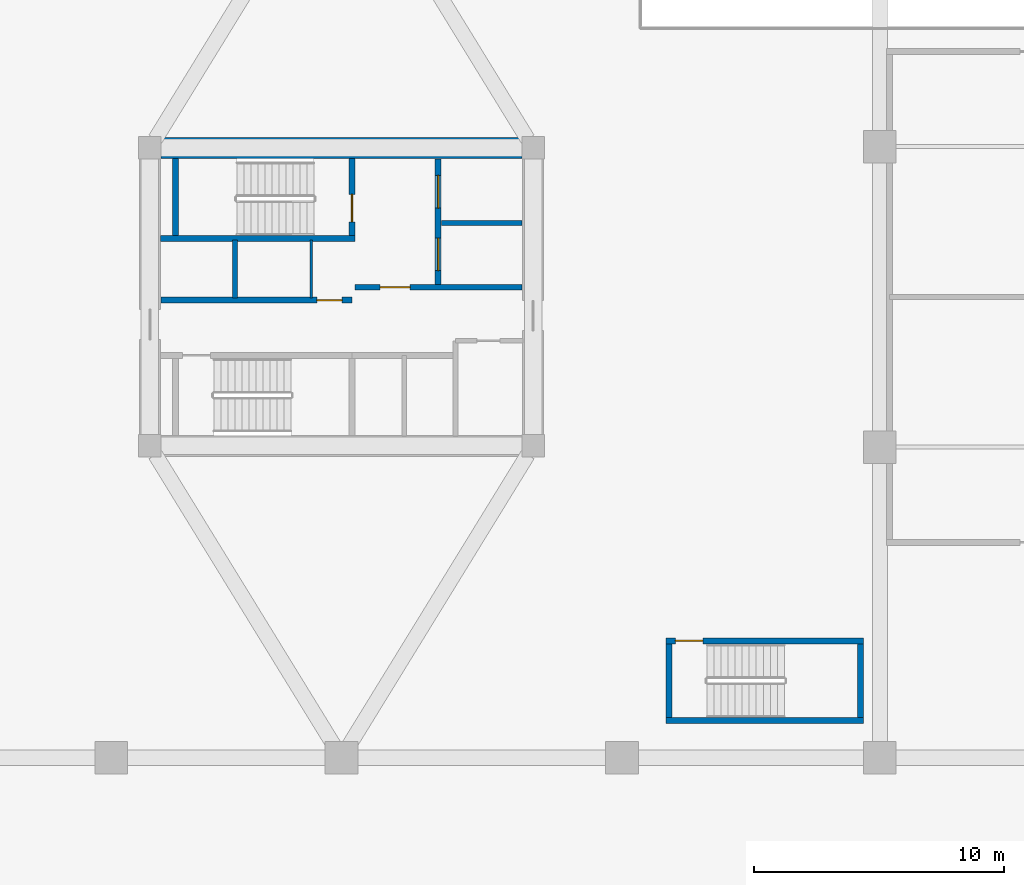
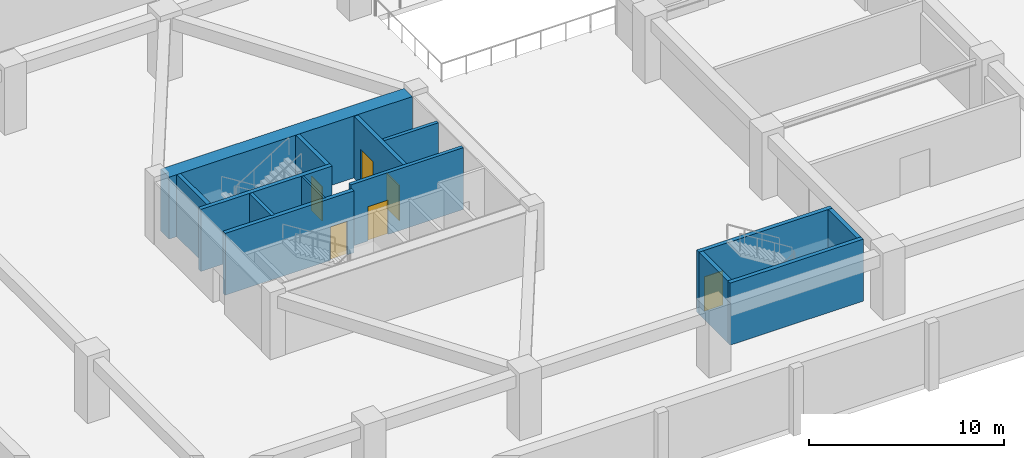
# One storey, part 3 of 14: 14 walls, 6 doors, 6 openings.
"""IFC4 building model written with IfcOpenShell, lengths in metres."""

from ifc_helpers import new_model, si_unit, direction, frame, frame_2d, origin, place, context, subcontext, project, spatial, rectangle, extrude, source, transform, mapped, material, layer, layer_set, type_object, type_shapes, element, fill, save


model = new_model("IFC4")

# Units and contexts
model_context = context("Model", 3, precision=1e-05, world=origin(), true_north=direction((0.0, 1.0)))
body_context = subcontext(model_context, "Body", "Model", "MODEL_VIEW")
ifc_project = project(units=[si_unit("LENGTHUNIT", "METRE"), si_unit("AREAUNIT", "SQUARE_METRE"), si_unit("VOLUMEUNIT", "CUBIC_METRE"), si_unit("PLANEANGLEUNIT", "RADIAN"), si_unit("MASSUNIT", "GRAM", prefix="KILO")], contexts=[model_context])

# Site, building, storey
site_placement = place(None, origin())
site = spatial("IfcSite", under=ifc_project, at=site_placement, CompositionType="ELEMENT")
building_placement = place(site_placement, origin())
building = spatial("IfcBuilding", under=site, at=building_placement, Name="Norrkilde Senior Care Towers", CompositionType="ELEMENT")
storey_placement = place(building_placement, frame((0.0, 0.0, -4.199951171875)))
storey = spatial("IfcBuildingStorey", under=building, at=storey_placement, Name="B1", CompositionType="ELEMENT", Elevation=-4.199951171875)

# Walls
ifc_material_1 = material(Name="Concrete C60/75", Category="concrete")
ifc_layer_1 = layer(ifc_material_1, 0.85009765625)
ifc_layer_set_1 = layer_set([ifc_layer_1], Name="Concrete C60/75")
wall_type_1 = type_object("IfcWallType", Name="Core Shear Wall Z1 850", PredefinedType="SHEAR", material=ifc_layer_set_1)
shared_shape_1 = source(origin(), body_context, "Body", "SweptSolid", [
    extrude(rectangle(XDim=14.39990234375, YDim=0.85009765625, at=frame_2d((7.199951171875, 0.0))), origin(), (0.0, 0.0, 1.0), 3.8798828125),
])
type_shapes(wall_type_1, [shared_shape_1])
wall_1_placement = place(storey_placement, frame((-35.199951171875, 5.949951171875, 0.0), z_axis=(0.0, 0.0, 1.0), x_axis=(1.0, 0.0, 0.0)))
element("IfcWall", 1, at=wall_1_placement, inside=storey, type_object=wall_type_1, Name="B1 Core W North Shear Wall", PredefinedType="SHEAR", context=body_context, shape_type="MappedRepresentation", body=[
    mapped(shared_shape_1, transform((0.0, 0.0, 0.0), x_axis=(1.0, 0.0, 0.0), y_axis=(0.0, 1.0, 0.0), z_axis=(0.0, 0.0, 1.0), scale=1.0)),
])
ifc_material_2 = material(Name="Concrete C45/55", Category="concrete")
ifc_layer_2 = layer(ifc_material_2, 0.239990234375)
ifc_layer_set_2 = layer_set([ifc_layer_2], Name="Concrete C45/55")
wall_type_2 = type_object("IfcWallType", Name="Shaft and Stair Enclosure Wall 240", PredefinedType="PARTITIONING", material=ifc_layer_set_2)
shared_shape_2 = source(origin(), body_context, "Body", "SweptSolid", [
    extrude(rectangle(XDim=7.76513671875, YDim=0.239990234375, at=frame_2d((3.882568359375, 0.0))), origin(), (0.0, 0.0, 1.0), 3.8798828125),
])
wall_2_placement = place(storey_placement, frame((-35.22509765625, 2.330078125, 0.0), z_axis=(0.0, 0.0, 1.0), x_axis=(1.0, 0.0, 0.0)))
element("IfcWall", 2, at=wall_2_placement, inside=storey, type_object=wall_type_2, Name="WL-INT-B1-W-ST1S", PredefinedType="PARTITIONING", context=body_context, shape_type="MappedRepresentation", body=[
    mapped(shared_shape_2, transform((0.0, 0.0, 0.0), x_axis=(1.0, 0.0, 0.0), y_axis=(0.0, 1.0, 0.0), z_axis=(0.0, 0.0, 1.0), scale=1.0)),
])
shared_shape_3 = source(origin(), body_context, "Body", "SweptSolid", [
    extrude(rectangle(XDim=3.074951171875, YDim=0.239990234375, at=frame_2d((1.53759765625, 0.0))), origin(), (0.0, 0.0, 1.0), 3.8798828125),
])
wall_3_placement = place(storey_placement, frame((-34.6201171875, 2.449951171875, 0.0), z_axis=(0.0, 0.0, 1.0), x_axis=(0.0, 1.0, 0.0)))
element("IfcWall", 3, at=wall_3_placement, inside=storey, type_object=wall_type_2, Name="WL-INT-B1-W-ST1W", PredefinedType="PARTITIONING", context=body_context, shape_type="MappedRepresentation", body=[
    mapped(shared_shape_3, transform((0.0, 0.0, 0.0), x_axis=(1.0, 0.0, 0.0), y_axis=(0.0, 1.0, 0.0), z_axis=(0.0, 0.0, 1.0), scale=1.0)),
])

# Wall, opening, door
wall_4_placement = place(storey_placement, frame((-27.580078125, 2.449951171875, 0.0), z_axis=(0.0, 0.0, 1.0), x_axis=(0.0, 1.0, 0.0)))
wall_4 = element("IfcWall", 4, at=wall_4_placement, inside=storey, type_object=wall_type_2, Name="WL-INT-B1-W-ST1E", PredefinedType="PARTITIONING", context=body_context, shape_type="MappedRepresentation", body=[
    mapped(shared_shape_3, transform((0.0, 0.0, 0.0), x_axis=(1.0, 0.0, 0.0), y_axis=(0.0, 1.0, 0.0), z_axis=(0.0, 0.0, 1.0), scale=1.0)),
])
opening_1_placement = place(wall_4_placement, frame((0.550048828125, 0.0, 0.0)))
opening_1 = element("IfcOpeningElement", 5, at=opening_1_placement, cuts=wall_4, Name="Opening D-03", PredefinedType="OPENING", context=body_context, shape_type="SweptSolid", body=[
    extrude(rectangle(XDim=1.10009765625, YDim=2.14990234375, at=frame_2d((0.550048828125, 1.074951171875))), frame((0.0, 0.1298828125, 0.0), z_axis=(0.0, -1.0, 0.0), x_axis=(1.0, 0.0, 0.0)), (0.0, 0.0, 1.0), 0.260009765625),
])
ifc_material_3 = material(Name="Galvanised Painted Steel", Category="steel")
door_type_1 = type_object("IfcDoorType", Name="Stairwell Protected Fire Door 1100x2150", OperationType="NOTDEFINED", PredefinedType="DOOR", material=ifc_material_3)
shared_shape_4 = source(origin(), body_context, "Body", "SweptSolid", [
    extrude(rectangle(XDim=1.10009765625, YDim=2.14990234375, at=frame_2d((0.550048828125, 1.074951171875))), frame((0.0, 0.02490234375, 0.0), z_axis=(0.0, -1.0, 0.0), x_axis=(1.0, 0.0, 0.0)), (0.0, 0.0, 1.0), 0.050048828125),
])
type_shapes(door_type_1, [shared_shape_4])
door_1_placement = place(opening_1_placement, origin())
door_1 = element("IfcDoor", 6, at=door_1_placement, inside=storey, type_object=door_type_1, Name="B1 Stair W1 Fire Door", OperationType="SINGLE_SWING_LEFT", OverallHeight=2.14990234375, OverallWidth=1.10009765625, PredefinedType="DOOR", context=body_context, shape_type="MappedRepresentation", body=[
    mapped(shared_shape_4, transform((0.0, 0.0, 0.0), x_axis=(1.0, 0.0, 0.0), y_axis=(0.0, 1.0, 0.0), z_axis=(0.0, 0.0, 1.0), scale=1.0)),
])
fill(opening_1, door_1)

# Wall, openings, doors
ifc_layer_3 = layer(ifc_material_2, 0.239990234375)
ifc_layer_set_3 = layer_set([ifc_layer_3], Name="Concrete C45/55")
wall_type_3 = type_object("IfcWallType", Name="Lift and Plant Rated Enclosure Partition 240", PredefinedType="PARTITIONING", material=ifc_layer_set_3)
shared_shape_5 = source(origin(), body_context, "Body", "SweptSolid", [
    extrude(rectangle(XDim=5.0, YDim=0.239990234375, at=frame_2d((2.5, 0.0))), origin(), (0.0, 0.0, 1.0), 3.864990234375),
])
wall_5_placement = place(storey_placement, frame((-24.139892578125, 0.5, 0.0), z_axis=(0.0, 0.0, 1.0), x_axis=(0.0, 1.0, 0.0)))
wall_5 = element("IfcWall", 7, at=wall_5_placement, inside=storey, type_object=wall_type_3, Name="WL-INT-B1-W-FFLE", PredefinedType="PARTITIONING", context=body_context, shape_type="MappedRepresentation", body=[
    mapped(shared_shape_5, transform((0.0, 0.0, 0.0), x_axis=(1.0, 0.0, 0.0), y_axis=(0.0, 1.0, 0.0), z_axis=(0.0, 0.0, 1.0), scale=1.0)),
])
opening_2_placement = place(wall_5_placement, frame((3.050048828125, 0.0, 0.0)))
opening_2 = element("IfcOpeningElement", 8, at=opening_2_placement, cuts=wall_5, Name="Opening LD-02", PredefinedType="OPENING", context=body_context, shape_type="SweptSolid", body=[
    extrude(rectangle(XDim=1.300048828125, YDim=2.199951171875, at=frame_2d((0.64990234375, 1.10009765625))), frame((0.0, 0.1298828125, 0.0), z_axis=(0.0, -1.0, 0.0), x_axis=(1.0, 0.0, 0.0)), (0.0, 0.0, 1.0), 0.260009765625),
])
opening_3_placement = place(wall_5_placement, frame((0.550048828125, 0.0, 0.0)))
opening_3 = element("IfcOpeningElement", 9, at=opening_3_placement, cuts=wall_5, Name="Opening LD-02", PredefinedType="OPENING", context=body_context, shape_type="SweptSolid", body=[
    extrude(rectangle(XDim=1.300048828125, YDim=2.199951171875, at=frame_2d((0.64990234375, 1.10009765625))), frame((0.0, 0.1298828125, 0.0), z_axis=(0.0, -1.0, 0.0), x_axis=(1.0, 0.0, 0.0)), (0.0, 0.0, 1.0), 0.260009765625),
])
ifc_material_4 = material(Name="Stainless Steel", Category="steel")
door_type_2 = type_object("IfcDoorType", Name="Stretcher and FFL Landing Sliding Door 1300x2200", OperationType="NOTDEFINED", PredefinedType="DOOR", material=ifc_material_4)
shared_shape_6 = source(origin(), body_context, "Body", "SweptSolid", [
    extrude(rectangle(XDim=1.300048828125, YDim=2.199951171875, at=frame_2d((0.64990234375, 1.10009765625))), frame((0.0, 0.02490234375, 0.0), z_axis=(0.0, -1.0, 0.0), x_axis=(1.0, 0.0, 0.0)), (0.0, 0.0, 1.0), 0.050048828125),
])
type_shapes(door_type_2, [shared_shape_6])
door_2_placement = place(opening_2_placement, origin())
door_2 = element("IfcDoor", 10, at=door_2_placement, inside=storey, type_object=door_type_2, Name="B1 Firefighting Lift W1 Landing Door", OperationType="SLIDING_TO_LEFT", OverallHeight=2.199951171875, OverallWidth=1.300048828125, PredefinedType="DOOR", context=body_context, shape_type="MappedRepresentation", body=[
    mapped(shared_shape_6, transform((0.0, 0.0, 0.0), x_axis=(1.0, 0.0, 0.0), y_axis=(0.0, 1.0, 0.0), z_axis=(0.0, 0.0, 1.0), scale=1.0)),
])
fill(opening_2, door_2)
door_3_placement = place(opening_3_placement, origin())
door_3 = element("IfcDoor", 11, at=door_3_placement, inside=storey, type_object=door_type_2, Name="B1 Stretcher Lift W1 Landing Door", OperationType="SLIDING_TO_RIGHT", OverallHeight=2.199951171875, OverallWidth=1.300048828125, PredefinedType="DOOR", context=body_context, shape_type="MappedRepresentation", body=[
    mapped(shared_shape_6, transform((0.0, 0.0, 0.0), x_axis=(1.0, 0.0, 0.0), y_axis=(0.0, 1.0, 0.0), z_axis=(0.0, 0.0, 1.0), scale=1.0)),
])
fill(opening_3, door_3)

# Wall
ifc_layer_4 = layer(ifc_material_2, 0.199951171875)
ifc_layer_set_4 = layer_set([ifc_layer_4], Name="Concrete C45/55")
wall_type_4 = type_object("IfcWallType", Name="Shaft Division and Plant Partition 200", PredefinedType="PARTITIONING", material=ifc_layer_set_4)
shared_shape_7 = source(origin(), body_context, "Body", "SweptSolid", [
    extrude(rectangle(XDim=3.199951171875, YDim=0.199951171875, at=frame_2d((1.60009765625, 0.0))), origin(), (0.0, 0.0, 1.0), 3.864990234375),
])
wall_6_placement = place(storey_placement, frame((-24.0, 2.949951171875, 0.0), z_axis=(0.0, 0.0, 1.0), x_axis=(1.0, 0.0, 0.0)))
element("IfcWall", 12, at=wall_6_placement, inside=storey, type_object=wall_type_4, Name="WL-INT-B1-W-FFLDIV", PredefinedType="PARTITIONING", context=body_context, shape_type="MappedRepresentation", body=[
    mapped(shared_shape_7, transform((0.0, 0.0, 0.0), x_axis=(1.0, 0.0, 0.0), y_axis=(0.0, 1.0, 0.0), z_axis=(0.0, 0.0, 1.0), scale=1.0)),
])

# Wall, opening, door
ifc_layer_5 = layer(ifc_material_2, 0.2099609375)
ifc_layer_set_5 = layer_set([ifc_layer_5], Name="Concrete C45/55")
wall_type_5 = type_object("IfcWallType", Name="Firefighting Lobby Wall 210", PredefinedType="PARTITIONING", material=ifc_layer_set_5)
shared_shape_8 = source(origin(), body_context, "Body", "SweptSolid", [
    extrude(rectangle(XDim=6.659912109375, YDim=0.2099609375, at=frame_2d((3.330078125, 0.0))), origin(), (0.0, 0.0, 1.0), 3.864990234375),
])
type_shapes(wall_type_5, [shared_shape_8])
wall_7_placement = place(storey_placement, frame((-27.4599609375, 0.389892578125, 0.0), z_axis=(0.0, 0.0, 1.0), x_axis=(1.0, 0.0, 0.0)))
wall_7 = element("IfcWall", 13, at=wall_7_placement, inside=storey, type_object=wall_type_5, Name="WL-INT-B1-W-FFLS", PredefinedType="PARTITIONING", context=body_context, shape_type="MappedRepresentation", body=[
    mapped(shared_shape_8, transform((0.0, 0.0, 0.0), x_axis=(1.0, 0.0, 0.0), y_axis=(0.0, 1.0, 0.0), z_axis=(0.0, 0.0, 1.0), scale=1.0)),
])
opening_4_placement = place(wall_7_placement, frame((1.0, 0.0, 0.0)))
opening_4 = element("IfcOpeningElement", 14, at=opening_4_placement, cuts=wall_7, Name="Opening D-04", PredefinedType="OPENING", context=body_context, shape_type="SweptSolid", body=[
    extrude(rectangle(XDim=1.199951171875, YDim=2.14990234375, at=frame_2d((0.60009765625, 1.074951171875))), frame((0.0, 0.114990234375, 0.0), z_axis=(0.0, -1.0, 0.0), x_axis=(1.0, 0.0, 0.0)), (0.0, 0.0, 1.0), 0.22998046875),
])
door_type_3 = type_object("IfcDoorType", Name="Firefighting Lobby Fire Door 1200x2150", OperationType="NOTDEFINED", PredefinedType="DOOR", material=ifc_material_3)
shared_shape_9 = source(origin(), body_context, "Body", "SweptSolid", [
    extrude(rectangle(XDim=1.199951171875, YDim=2.14990234375, at=frame_2d((0.60009765625, 1.074951171875))), frame((0.0, 0.02490234375, 0.0), z_axis=(0.0, -1.0, 0.0), x_axis=(1.0, 0.0, 0.0)), (0.0, 0.0, 1.0), 0.050048828125),
])
type_shapes(door_type_3, [shared_shape_9])
door_4_placement = place(opening_4_placement, frame((1.199951171875, 0.0, 0.0), z_axis=(0.0, 0.0, 1.0), x_axis=(-1.0, 0.0, 0.0)))
door_4 = element("IfcDoor", 15, at=door_4_placement, inside=storey, type_object=door_type_3, Name="B1 Firefighting Lobby W Door", OperationType="SINGLE_SWING_LEFT", OverallHeight=2.14990234375, OverallWidth=1.199951171875, PredefinedType="DOOR", context=body_context, shape_type="MappedRepresentation", body=[
    mapped(shared_shape_9, transform((0.0, 0.0, 0.0), x_axis=(1.0, 0.0, 0.0), y_axis=(0.0, 1.0, 0.0), z_axis=(0.0, 0.0, 1.0), scale=1.0)),
])
fill(opening_4, door_4)

shared_shape_10 = source(origin(), body_context, "Body", "SweptSolid", [
    extrude(rectangle(XDim=7.619873046875, YDim=0.239990234375, at=frame_2d((3.81005859375, 0.0))), origin(), (0.0, 0.0, 1.0), 3.864990234375),
])
type_shapes(wall_type_3, [shared_shape_5, shared_shape_10])
wall_8_placement = place(storey_placement, frame((-35.199951171875, -0.1298828125, 0.0), z_axis=(0.0, 0.0, 1.0), x_axis=(1.0, 0.0, 0.0)))
wall_8 = element("IfcWall", 16, at=wall_8_placement, inside=storey, type_object=wall_type_3, Name="WL-INT-B1-W-PKAS", PredefinedType="PARTITIONING", context=body_context, shape_type="MappedRepresentation", body=[
    mapped(shared_shape_10, transform((0.0, 0.0, 0.0), x_axis=(1.0, 0.0, 0.0), y_axis=(0.0, 1.0, 0.0), z_axis=(0.0, 0.0, 1.0), scale=1.0)),
])
opening_5_placement = place(wall_8_placement, frame((6.219970703125, 0.0, 0.0)))
opening_5 = element("IfcOpeningElement", 17, at=opening_5_placement, cuts=wall_8, Name="Opening D-10", PredefinedType="OPENING", context=body_context, shape_type="SweptSolid", body=[
    extrude(rectangle(XDim=1.0, YDim=2.10009765625, at=frame_2d((0.5, 1.050048828125))), frame((0.0, 0.1298828125, 0.0), z_axis=(0.0, -1.0, 0.0), x_axis=(1.0, 0.0, 0.0)), (0.0, 0.0, 1.0), 0.260009765625),
])
door_type_4 = type_object("IfcDoorType", Name="Plant and Riser Rated Door 1000x2100", OperationType="NOTDEFINED", PredefinedType="DOOR", material=ifc_material_3)
shared_shape_11 = source(origin(), body_context, "Body", "SweptSolid", [
    extrude(rectangle(XDim=1.0, YDim=2.10009765625, at=frame_2d((0.5, 1.050048828125))), frame((0.0, 0.02490234375, 0.0), z_axis=(0.0, -1.0, 0.0), x_axis=(1.0, 0.0, 0.0)), (0.0, 0.0, 1.0), 0.050048828125),
])
type_shapes(door_type_4, [shared_shape_11])
door_5_placement = place(opening_5_placement, frame((1.0, 0.0, 0.0), z_axis=(0.0, 0.0, 1.0), x_axis=(-1.0, 0.0, 0.0)))
door_5 = element("IfcDoor", 18, at=door_5_placement, inside=storey, type_object=door_type_4, Name="B1 Electrical Riser W Door", OperationType="SINGLE_SWING_LEFT", OverallHeight=2.10009765625, OverallWidth=1.0, PredefinedType="DOOR", context=body_context, shape_type="MappedRepresentation", body=[
    mapped(shared_shape_11, transform((0.0, 0.0, 0.0), x_axis=(1.0, 0.0, 0.0), y_axis=(0.0, 1.0, 0.0), z_axis=(0.0, 0.0, 1.0), scale=1.0)),
])
fill(opening_5, door_5)

# Walls
ifc_material_5 = material(Name="Gypsum Acoustic Board")
ifc_layer_6 = layer(ifc_material_5, 0.114990234375)
ifc_layer_set_6 = layer_set([ifc_layer_6], Name="Gypsum Acoustic Board")
wall_type_6 = type_object("IfcWallType", Name="Internal Room Partition 115", PredefinedType="PARTITIONING", material=ifc_layer_set_6)
shared_shape_12 = source(origin(), body_context, "Body", "SweptSolid", [
    extrude(rectangle(XDim=2.330078125, YDim=0.114990234375, at=frame_2d((1.1650390625, 0.0))), origin(), (0.0, 0.0, 1.0), 3.864990234375),
])
type_shapes(wall_type_6, [shared_shape_12])
wall_9_placement = place(storey_placement, frame((-29.2099609375, -0.050048828125, 0.0), z_axis=(0.0, 0.0, 1.0), x_axis=(0.0, 1.0, 0.0)))
element("IfcWall", 19, at=wall_9_placement, inside=storey, type_object=wall_type_6, Name="WL-INT-B1-W-RISW", PredefinedType="PARTITIONING", context=body_context, shape_type="MappedRepresentation", body=[
    mapped(shared_shape_12, transform((0.0, 0.0, 0.0), x_axis=(1.0, 0.0, 0.0), y_axis=(0.0, 1.0, 0.0), z_axis=(0.0, 0.0, 1.0), scale=1.0)),
])
shared_shape_13 = source(origin(), body_context, "Body", "SweptSolid", [
    extrude(rectangle(XDim=2.330078125, YDim=0.199951171875, at=frame_2d((1.1650390625, 0.0))), origin(), (0.0, 0.0, 1.0), 3.864990234375),
])
type_shapes(wall_type_4, [shared_shape_7, shared_shape_13])
wall_10_placement = place(storey_placement, frame((-32.25, -0.050048828125, 0.0), z_axis=(0.0, 0.0, 1.0), x_axis=(0.0, 1.0, 0.0)))
element("IfcWall", 20, at=wall_10_placement, inside=storey, type_object=wall_type_4, Name="WL-INT-B1-W-PL12", PredefinedType="PARTITIONING", context=body_context, shape_type="MappedRepresentation", body=[
    mapped(shared_shape_13, transform((0.0, 0.0, 0.0), x_axis=(1.0, 0.0, 0.0), y_axis=(0.0, 1.0, 0.0), z_axis=(0.0, 0.0, 1.0), scale=1.0)),
])

# Wall, opening, door
shared_shape_14 = source(origin(), body_context, "Body", "SweptSolid", [
    extrude(rectangle(XDim=7.880126953125, YDim=0.239990234375, at=frame_2d((3.93994140625, 0.0))), origin(), (0.0, 0.0, 1.0), 3.8798828125),
])
wall_11_placement = place(storey_placement, frame((-15.0400390625, -13.72998046875, 0.0), z_axis=(0.0, 0.0, 1.0), x_axis=(1.0, 0.0, 0.0)))
wall_11 = element("IfcWall", 21, at=wall_11_placement, inside=storey, type_object=wall_type_2, Name="WL-INT-B1-STP1-N", PredefinedType="PARTITIONING", context=body_context, shape_type="MappedRepresentation", body=[
    mapped(shared_shape_14, transform((0.0, 0.0, 0.0), x_axis=(1.0, 0.0, 0.0), y_axis=(0.0, 1.0, 0.0), z_axis=(0.0, 0.0, 1.0), scale=1.0)),
])
opening_6_placement = place(wall_11_placement, frame((0.3701171875, 0.0, 0.0)))
opening_6 = element("IfcOpeningElement", 22, at=opening_6_placement, cuts=wall_11, Name="Opening D-03", PredefinedType="OPENING", context=body_context, shape_type="SweptSolid", body=[
    extrude(rectangle(XDim=1.10009765625, YDim=2.14990234375, at=frame_2d((0.550048828125, 1.074951171875))), frame((0.0, 0.1298828125, 0.0), z_axis=(0.0, -1.0, 0.0), x_axis=(1.0, 0.0, 0.0)), (0.0, 0.0, 1.0), 0.260009765625),
])
door_6_placement = place(opening_6_placement, origin())
door_6 = element("IfcDoor", 23, at=door_6_placement, inside=storey, type_object=door_type_1, Name="B1 Podium Stair P1 Door", OperationType="SINGLE_SWING_LEFT", OverallHeight=2.14990234375, OverallWidth=1.10009765625, PredefinedType="DOOR", context=body_context, shape_type="MappedRepresentation", body=[
    mapped(shared_shape_4, transform((0.0, 0.0, 0.0), x_axis=(1.0, 0.0, 0.0), y_axis=(0.0, 1.0, 0.0), z_axis=(0.0, 0.0, 1.0), scale=1.0)),
])
fill(opening_6, door_6)

# Walls
wall_12_placement = place(storey_placement, frame((-15.0400390625, -16.919921875, 0.0), z_axis=(0.0, 0.0, 1.0), x_axis=(1.0, 0.0, 0.0)))
element("IfcWall", 24, at=wall_12_placement, inside=storey, type_object=wall_type_2, Name="WL-INT-B1-STP1-S", PredefinedType="PARTITIONING", context=body_context, shape_type="MappedRepresentation", body=[
    mapped(shared_shape_14, transform((0.0, 0.0, 0.0), x_axis=(1.0, 0.0, 0.0), y_axis=(0.0, 1.0, 0.0), z_axis=(0.0, 0.0, 1.0), scale=1.0)),
])
shared_shape_15 = source(origin(), body_context, "Body", "SweptSolid", [
    extrude(rectangle(XDim=2.949951171875, YDim=0.239990234375, at=frame_2d((1.47509765625, 0.0))), origin(), (0.0, 0.0, 1.0), 3.8798828125),
])
type_shapes(wall_type_2, [shared_shape_2, shared_shape_3, shared_shape_14, shared_shape_15])
for number, where, z_axis, x_axis, name in (
    (25, (-14.919921875, -16.800048828125, 0.0), (0.0, 0.0, 1.0), (0.0, 1.0, 0.0), "WL-INT-B1-STP1-W"),
    (26, (-7.280029296875, -16.800048828125, 0.0), (0.0, 0.0, 1.0), (0.0, 1.0, 0.0), "WL-INT-B1-STP1-E"),
):
    element("IfcWall", number, at=place(storey_placement, frame(where, z_axis=z_axis, x_axis=x_axis)), inside=storey, type_object=wall_type_2, Name=name, PredefinedType="PARTITIONING", context=body_context, shape_type="MappedRepresentation", body=[
        mapped(shared_shape_15, transform((0.0, 0.0, 0.0), x_axis=(1.0, 0.0, 0.0), y_axis=(0.0, 1.0, 0.0), z_axis=(0.0, 0.0, 1.0), scale=1.0)),
    ])

save(model, "model.ifc")
